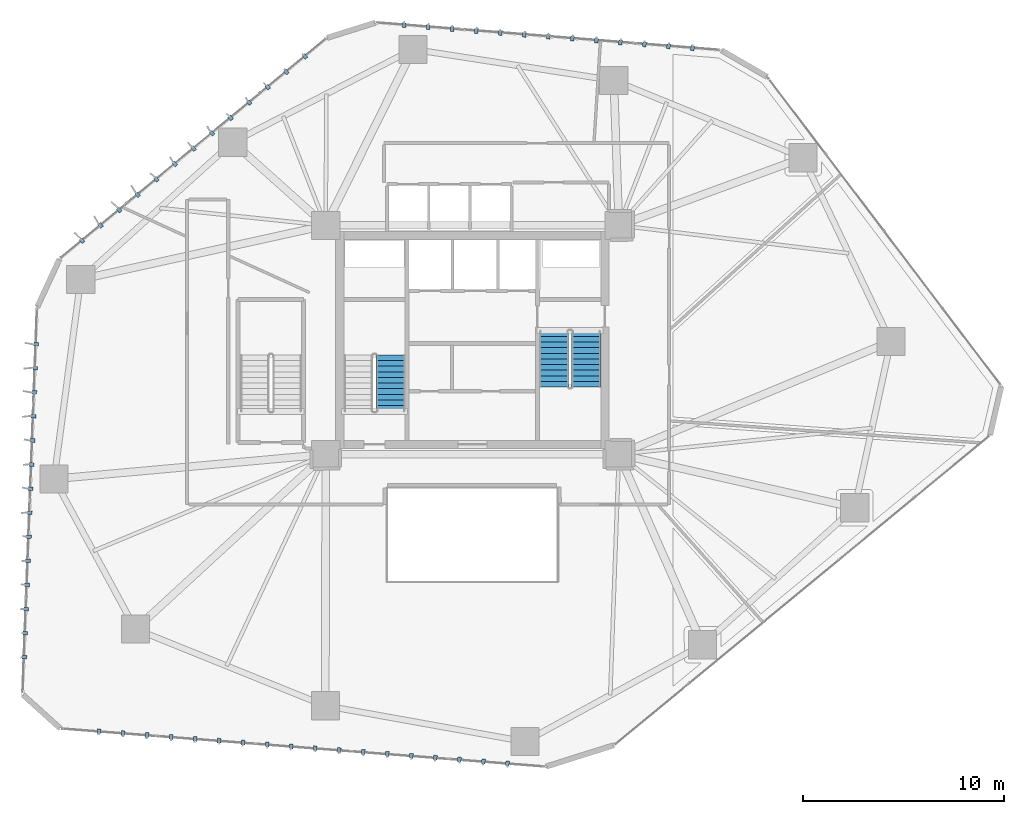
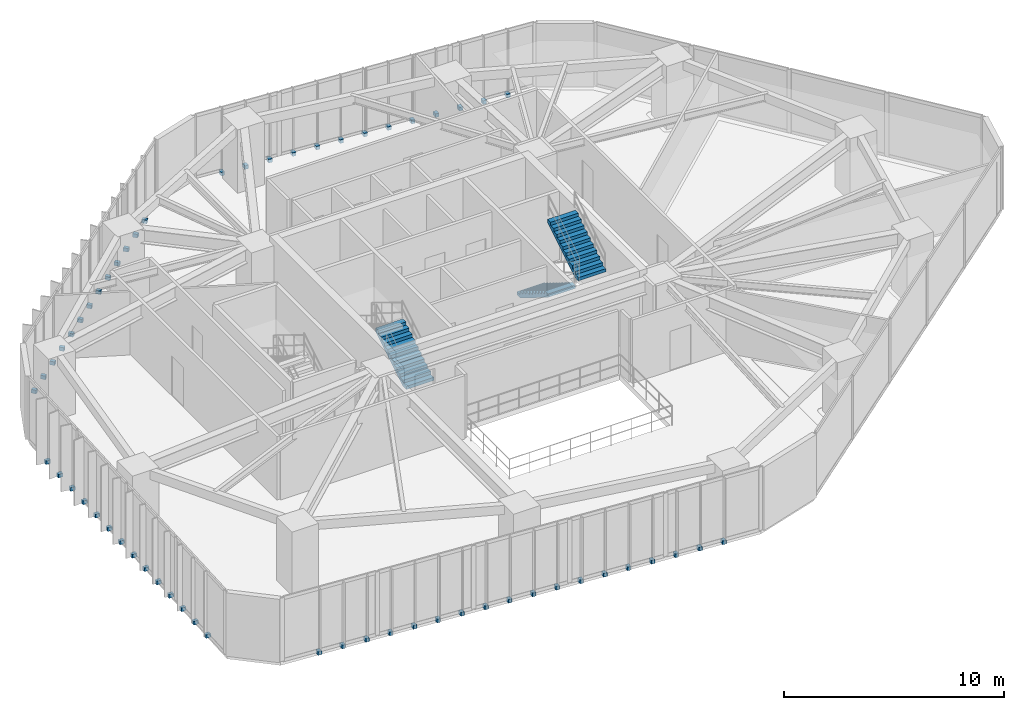
# One storey, part 20 of 23: 58 discrete accessories, 3 stair flights, 2 elements without a shape of their own.
"""IFC4 building model written with IfcOpenShell, lengths in metres."""

import ifcopenshell
import ifcopenshell.guid

model = None  # the IFC model being written
_history = None  # IfcOwnerHistory: only IFC2X3 demands one
_inside = {}  # id of a spatial element -> (the spatial element, [elements in it])
_under = {}  # id of a project, library or spatial element -> (it, [spatial elements below it])
_declared = {}  # id of a project -> (the project, [libraries it declares])
_typed = {}  # id of a type object -> (the type object, [elements of that type])
_made_of = {}  # id of a material, layer set ... -> (it, [elements and type objects made of it])


def new_model(schema):
    """Start an empty IFC model of exactly this schema.

    Asked for "IFC4X3", IfcOpenShell would pick the latest addendum, in which some entities
    have other attributes; the version numbers below select the first issue.
    IFC2X3 requires an IfcOwnerHistory on every rooted entity: one is made here for all.
    """
    global model, _history
    if schema == "IFC4X3":
        model = ifcopenshell.file(schema_version=(4, 3, 0, 0))
    else:
        model = ifcopenshell.file(schema=schema)
    _inside.clear()
    _under.clear()
    _declared.clear()
    _typed.clear()
    _made_of.clear()
    _history = None
    if model.schema == "IFC2X3":
        org = make("IfcOrganization", Name="unknown")
        user = make(
            "IfcPersonAndOrganization",
            ThePerson=make("IfcPerson", FamilyName="unknown"),
            TheOrganization=org,
        )
        app = make(
            "IfcApplication",
            ApplicationDeveloper=org,
            Version="unknown",
            ApplicationFullName="unknown",
            ApplicationIdentifier="unknown",
        )
        _history = make(
            "IfcOwnerHistory",
            OwningUser=user,
            OwningApplication=app,
            ChangeAction="ADDED",
            CreationDate=0,
        )
    return model


def make(cls, **values):
    """One entity of the class cls with the attributes given. An attribute that is None is left unset."""
    return model.create_entity(
        cls, **{name: value for name, value in values.items() if value is not None}
    )


def rooted(cls, **values):
    """An entity with a GlobalId (a new one), such as an element, a storey or a relation."""
    return make(cls, GlobalId=ifcopenshell.guid.new(), OwnerHistory=_history, **values)


def si_unit(unit_type, name, prefix=None):
    """IfcSIUnit, for example si_unit("LENGTHUNIT", "METRE", prefix="MILLI")."""
    return make("IfcSIUnit", UnitType=unit_type, Prefix=prefix, Name=name)


def assignment(units):
    """IfcUnitAssignment: the units of a project."""
    return None if units is None else make("IfcUnitAssignment", Units=units)


def point(xyz):
    """IfcCartesianPoint."""
    return None if xyz is None else make("IfcCartesianPoint", Coordinates=xyz)


def direction(xyz):
    """IfcDirection."""
    return None if xyz is None else make("IfcDirection", DirectionRatios=xyz)


def frame(location, z_axis=None, x_axis=None):
    """IfcAxis2Placement3D, a coordinate frame: its origin and axes. An axis left out is left unset."""
    return make(
        "IfcAxis2Placement3D",
        Location=point(location),
        Axis=direction(z_axis),
        RefDirection=direction(x_axis),
    )


def frame_2d(location, x_axis=None):
    """IfcAxis2Placement2D, a coordinate frame in the plane: its origin and x axis."""
    return make(
        "IfcAxis2Placement2D", Location=point(location), RefDirection=direction(x_axis)
    )


def origin():
    """The frame at (0, 0, 0) with its axes left unset."""
    return frame((0.0, 0.0, 0.0))


def origin_2d():
    """The frame at (0, 0) in the plane with its x axis left unset."""
    return frame_2d((0.0, 0.0))


def place(relative_to, where):
    """IfcLocalPlacement: puts the frame where relative to a parent placement (None: the world)."""
    return make(
        "IfcLocalPlacement", PlacementRelTo=relative_to, RelativePlacement=where
    )


def context(
    kind, dimensions, precision=None, world=None, true_north=None, identifier=None
):
    """IfcGeometricRepresentationContext, for example the 3D "Model" context."""
    return make(
        "IfcGeometricRepresentationContext",
        ContextIdentifier=identifier,
        ContextType=kind,
        CoordinateSpaceDimension=dimensions,
        Precision=precision,
        WorldCoordinateSystem=world,
        TrueNorth=true_north,
    )


def subcontext(parent, identifier, kind, view, scale=None):
    """IfcGeometricRepresentationSubContext, for example "Body" below "Model"."""
    return make(
        "IfcGeometricRepresentationSubContext",
        ContextIdentifier=identifier,
        ContextType=kind,
        ParentContext=parent,
        TargetScale=scale,
        TargetView=view,
    )


def project(units=None, contexts=None):
    """IfcProject with its units and contexts."""
    return rooted(
        "IfcProject",
        Name="project",
        RepresentationContexts=contexts,
        UnitsInContext=assignment(units),
    )


def spatial(cls, under=None, at=None, **own):
    """A site, building, storey or space (cls), placed at a placement, below another one or the project."""
    s = rooted(cls, ObjectPlacement=at, **own)
    if under is not None:
        _under.setdefault(under.id(), (under, []))[1].append(s)
    return s


def polyline(points):
    """IfcPolyline through the points."""
    return make("IfcPolyline", Points=[point(p) for p in points])


def profile(cls, at=None, kind="AREA", **sizes):
    """A parametric profile (cls). Its sizes go by their IFC names, for example OverallWidth=200.0."""
    return make(cls, ProfileType=kind, Position=at, **sizes)


def rectangle(**sizes):
    """IfcRectangleProfileDef."""
    return profile("IfcRectangleProfileDef", **sizes)


def outline(outer, holes=None, kind="AREA"):
    """IfcArbitraryClosedProfileDef: a profile drawn as a closed curve; with holes, ...WithVoids."""
    if holes is None:
        return make("IfcArbitraryClosedProfileDef", ProfileType=kind, OuterCurve=outer)
    return make(
        "IfcArbitraryProfileDefWithVoids",
        ProfileType=kind,
        OuterCurve=outer,
        InnerCurves=holes,
    )


def extrude(swept, where, along, depth):
    """IfcExtrudedAreaSolid: the profile swept, set in the frame where, extruded along a direction by depth."""
    return make(
        "IfcExtrudedAreaSolid",
        SweptArea=swept,
        Position=where,
        ExtrudedDirection=direction(along),
        Depth=depth,
    )


def shape(context_of_items, identifier, shape_type, items):
    """IfcShapeRepresentation: the items that make up one representation, for example the "Body"."""
    return make(
        "IfcShapeRepresentation",
        ContextOfItems=context_of_items,
        RepresentationIdentifier=identifier,
        RepresentationType=shape_type,
        Items=items,
    )


def source(mapping_origin, context_of_items, identifier, shape_type, items):
    """IfcRepresentationMap: a shape defined once, which mapped items show again and again."""
    return make(
        "IfcRepresentationMap",
        MappingOrigin=mapping_origin,
        MappedRepresentation=shape(context_of_items, identifier, shape_type, items),
    )


def transform(
    local_origin,
    x_axis=None,
    y_axis=None,
    z_axis=None,
    scale=None,
    scale2=None,
    scale3=None,
    uniform=True,
):
    """IfcCartesianTransformationOperator3D, or its non-uniform kind. x_axis, y_axis, z_axis: its Axis1, 2, 3."""
    if uniform:
        return make(
            "IfcCartesianTransformationOperator3D",
            Axis1=direction(x_axis),
            Axis2=direction(y_axis),
            LocalOrigin=point(local_origin),
            Scale=scale,
            Axis3=direction(z_axis),
        )
    return make(
        "IfcCartesianTransformationOperator3DnonUniform",
        Axis1=direction(x_axis),
        Axis2=direction(y_axis),
        LocalOrigin=point(local_origin),
        Scale=scale,
        Axis3=direction(z_axis),
        Scale2=scale2,
        Scale3=scale3,
    )


def mapped(mapping_source, mapping_target):
    """IfcMappedItem: shows the shape of a source again, moved by a transform."""
    return make(
        "IfcMappedItem", MappingSource=mapping_source, MappingTarget=mapping_target
    )


def material(Name=None, Category=None):
    """IfcMaterial."""
    return make("IfcMaterial", Name=Name, Category=Category)


def layer(
    of_material, thickness, ventilated=None, Name=None, Category=None, Priority=None
):
    """IfcMaterialLayer: one layer of a wall or slab, of a material (None: an air gap)."""
    return make(
        "IfcMaterialLayer",
        Material=of_material,
        LayerThickness=thickness,
        IsVentilated=ventilated,
        Name=Name,
        Category=Category,
        Priority=Priority,
    )


def layer_set(layers, Name=None):
    """IfcMaterialLayerSet."""
    return make("IfcMaterialLayerSet", MaterialLayers=layers, LayerSetName=Name)


def made_of(thing, what):
    """Note that an element or type object is made of a material, layer set ...; save() writes the relation."""
    if what is not None:
        _made_of.setdefault(what.id(), (what, []))[1].append(thing)
    return thing


def type_object(cls, material=None, **own):
    """A type object (cls), such as IfcWallType, which elements share."""
    return made_of(rooted(cls, **own), material)


def type_shapes(of_type, sources):
    """Give a type object the sources (RepresentationMaps) that its elements show as mapped items."""
    of_type.RepresentationMaps = sources


def element(
    cls,
    number,
    at=None,
    inside=None,
    cuts=None,
    type_object=None,
    material=None,
    context=None,
    identifier="Body",
    shape_type=None,
    held_by="IfcProductDefinitionShape",
    body=None,
    shapes=None,
    **own,
):
    """One element of the class cls, such as IfcWall. Its Tag is "e" and its number.

    at: its placement. inside: the storey or other place that contains it. cuts: it is an
    opening in that element (IfcRelVoidsElement). A single representation is given by context,
    identifier, shape_type and body (its items); several are given by shapes. held_by: the class
    of the entity that holds the representations. save() writes the other relations.
    """
    e = rooted(cls, Tag="e%d" % number, ObjectPlacement=at, **own)
    if body is not None:
        shapes = [shape(context, identifier, shape_type, body)]
    if shapes is not None:
        e.Representation = make(held_by, Representations=shapes)
    if inside is not None:
        _inside.setdefault(inside.id(), (inside, []))[1].append(e)
    if cuts is not None:
        rooted(
            "IfcRelVoidsElement", RelatingBuildingElement=cuts, RelatedOpeningElement=e
        )
    if type_object is not None:
        _typed.setdefault(type_object.id(), (type_object, []))[1].append(e)
    return made_of(e, material)


def aggregate(whole, parts):
    """IfcRelAggregates: a whole, such as a stair, and the parts it consists of."""
    return rooted("IfcRelAggregates", RelatingObject=whole, RelatedObjects=parts)


def save(model, path):
    """Write the relations noted so far, then the file.

    IfcRelAggregates (storeys below a building ...), IfcRelContainedInSpatialStructure (elements
    in a storey), IfcRelDefinesByType, IfcRelAssociatesMaterial and IfcRelDeclares: one each for
    every whole, place, type object, material and project.
    """
    for whole, parts in _under.values():
        aggregate(whole, parts)
    for where, things in _inside.values():
        rooted(
            "IfcRelContainedInSpatialStructure",
            RelatedElements=things,
            RelatingStructure=where,
        )
    for kind, things in _typed.values():
        rooted("IfcRelDefinesByType", RelatedObjects=things, RelatingType=kind)
    for what, things in _made_of.values():
        rooted("IfcRelAssociatesMaterial", RelatedObjects=things, RelatingMaterial=what)
    for by, libraries in _declared.values():
        rooted("IfcRelDeclares", RelatingContext=by, RelatedDefinitions=libraries)
    model.write(path)


model = new_model("IFC4")

# Units and contexts
model_context = context("Model", 3, precision=1e-05, world=origin(), true_north=direction((0.0, 1.0)))
body_context = subcontext(model_context, "Body", "Model", "MODEL_VIEW")
ifc_project = project(units=[si_unit("LENGTHUNIT", "METRE"), si_unit("AREAUNIT", "SQUARE_METRE"), si_unit("VOLUMEUNIT", "CUBIC_METRE"), si_unit("PLANEANGLEUNIT", "RADIAN"), si_unit("MASSUNIT", "GRAM", prefix="KILO")], contexts=[model_context])

# Site, building, storey
site_placement = place(None, origin())
site = spatial("IfcSite", under=ifc_project, at=site_placement, CompositionType="ELEMENT")
building_placement = place(site_placement, origin())
building = spatial("IfcBuilding", under=site, at=building_placement, Name="Talar Marvaseh", CompositionType="ELEMENT")
storey_placement = place(building_placement, frame((0.0, 0.0, 77.199951171875)))
storey = spatial("IfcBuildingStorey", under=building, at=storey_placement, Name="L19", CompositionType="ELEMENT", Elevation=77.199951171875)

# Stair, stair flight
ifc_material_1 = material(Name="Concrete C40/50", Category="concrete")
stair_type = type_object("IfcStairType", Name="Reinforced Concrete Half-Turn Exit Stair Type B", PredefinedType="HALF_TURN_STAIR", material=ifc_material_1)
stair_1_placement = place(storey_placement, origin())
stair_1 = element("IfcStair", 1, at=stair_1_placement, inside=storey, type_object=stair_type, Name="L19 Tower West Core Exit Stair", PredefinedType="HALF_TURN_STAIR")
ifc_layer = layer(ifc_material_1, 0.159912109375)
ifc_layer_set = layer_set([ifc_layer], Name="Concrete C40/50")
stair_flight_type = type_object("IfcStairFlightType", Name="Reinforced Concrete Straight Stair Flight 160", PredefinedType="STRAIGHT", material=ifc_layer_set)
stair_flight_1_placement = place(storey_placement, frame((21.93505859375, 27.64990234375, 0.0), z_axis=(0.0, 0.0, 1.0), x_axis=(0.0, 1.0, 0.0)))
stair_flight_1 = element("IfcStairFlight", 2, at=stair_flight_1_placement, type_object=stair_flight_type, Name="ST-1 flight 1", NumberOfRisers=11, NumberOfTreads=10, PredefinedType="STRAIGHT", RiserHeight=0.172727273, TreadLength=0.28, context=body_context, shape_type="SweptSolid", body=[
    extrude(outline(polyline([(0.0, 0.0), (0.0, 0.172607421875), (0.280029296875, 0.172607421875), (0.280029296875, 0.345458984375), (0.56005859375, 0.345458984375), (0.56005859375, 0.51806640625), (0.840087890625, 0.51806640625), (0.840087890625, 0.69091796875), (1.1201171875, 0.69091796875), (1.1201171875, 0.863525390625), (1.39990234375, 0.863525390625), (1.39990234375, 1.036376953125), (1.679931640625, 1.036376953125), (1.679931640625, 1.208984375), (1.9599609375, 1.208984375), (1.9599609375, 1.3818359375), (2.239990234375, 1.3818359375), (2.239990234375, 1.554443359375), (2.52001953125, 1.554443359375), (2.52001953125, 1.727294921875), (2.800048828125, 1.727294921875), (2.800048828125, 1.89990234375), (2.800048828125, 1.539306640625), (0.3046875, 0.0), (0.0, 0.0)])), frame((0.0, 0.72509765625, 0.0), z_axis=(0.0, -1.0, 0.0), x_axis=(1.0, 0.0, 0.0)), (0.0, 0.0, 1.0), 1.449951171875),
])
aggregate(stair_1, [stair_flight_1])

# Stair, stair flights
stair_2_placement = place(storey_placement, origin())
stair_2 = element("IfcStair", 3, at=stair_2_placement, inside=storey, type_object=stair_type, Name="L19 Tower East Core Exit Stair", PredefinedType="HALF_TURN_STAIR")
stair_flight_2_placement = place(storey_placement, frame((30.06494140625, 31.64990234375, 0.0), z_axis=(0.0, 0.0, 1.0), x_axis=(0.0, -1.0, 0.0)))
stair_flight_2 = element("IfcStairFlight", 4, at=stair_flight_2_placement, type_object=stair_flight_type, Name="ST-2 flight 1", NumberOfRisers=11, NumberOfTreads=10, PredefinedType="STRAIGHT", RiserHeight=0.172727273, TreadLength=0.28, context=body_context, shape_type="SweptSolid", body=[
    extrude(outline(polyline([(0.0, 0.0), (0.0, 0.172607421875), (0.280029296875, 0.172607421875), (0.280029296875, 0.345458984375), (0.56005859375, 0.345458984375), (0.56005859375, 0.51806640625), (0.840087890625, 0.51806640625), (0.840087890625, 0.69091796875), (1.1201171875, 0.69091796875), (1.1201171875, 0.863525390625), (1.39990234375, 0.863525390625), (1.39990234375, 1.036376953125), (1.679931640625, 1.036376953125), (1.679931640625, 1.208984375), (1.9599609375, 1.208984375), (1.9599609375, 1.3818359375), (2.239990234375, 1.3818359375), (2.239990234375, 1.554443359375), (2.52001953125, 1.554443359375), (2.52001953125, 1.727294921875), (2.800048828125, 1.727294921875), (2.800048828125, 1.89990234375), (2.800048828125, 1.539306640625), (0.3046875, 0.0), (0.0, 0.0)])), frame((0.0, 0.72509765625, 0.0), z_axis=(0.0, -1.0, 0.0), x_axis=(1.0, 0.0, 0.0)), (0.0, 0.0, 1.0), 1.449951171875),
])
stair_flight_3_placement = place(storey_placement, frame((31.675048828125, 28.85009765625, 1.900146484375), z_axis=(0.0, 0.0, 1.0), x_axis=(0.0, 1.0, 0.0)))
stair_flight_3 = element("IfcStairFlight", 5, at=stair_flight_3_placement, type_object=stair_flight_type, Name="ST-2 flight 2", NumberOfRisers=11, NumberOfTreads=10, PredefinedType="STRAIGHT", RiserHeight=0.172727273, TreadLength=0.28, context=body_context, shape_type="SweptSolid", body=[
    extrude(outline(polyline([(0.0, 0.0), (0.0, 0.172607421875), (0.280029296875, 0.172607421875), (0.280029296875, 0.345458984375), (0.56005859375, 0.345458984375), (0.56005859375, 0.51806640625), (0.840087890625, 0.51806640625), (0.840087890625, 0.69091796875), (1.1201171875, 0.69091796875), (1.1201171875, 0.863525390625), (1.39990234375, 0.863525390625), (1.39990234375, 1.036376953125), (1.679931640625, 1.036376953125), (1.679931640625, 1.208984375), (1.9599609375, 1.208984375), (1.9599609375, 1.3818359375), (2.239990234375, 1.3818359375), (2.239990234375, 1.554443359375), (2.52001953125, 1.554443359375), (2.52001953125, 1.727294921875), (2.800048828125, 1.727294921875), (2.800048828125, 1.89990234375), (2.800048828125, 1.539306640625), (0.3046875, 0.0), (0.0, 0.0)])), frame((0.0, 0.72509765625, 0.0), z_axis=(0.0, -1.0, 0.0), x_axis=(1.0, 0.0, 0.0)), (0.0, 0.0, 1.0), 1.449951171875),
])
aggregate(stair_2, [stair_flight_2, stair_flight_3])

# Discrete accessories
ifc_material_2 = material(Name="Stainless Steel Grade 316", Category="steel")
discrete_accessory_type = type_object("IfcDiscreteAccessoryType", Name="Stainless Slab-Edge Fin Mounting Bracket", PredefinedType="BRACKET", material=ifc_material_2)
shared_shape = source(origin(), body_context, "Body", "SweptSolid", [
    extrude(rectangle(XDim=0.239990234375, YDim=0.179931640625, at=origin_2d()), origin(), (0.0, 0.0, 1.0), 0.199951171875),
])
type_shapes(discrete_accessory_type, [shared_shape])
for number, where, z_axis, x_axis, name in (
    (6, (3.69482421875, 15.400634765625, -0.1796875), (0.0, 0.0, 1.0), (-0.999296035598, 0.037515773182, 0.0), "L19 Vertical Fin Slab-Edge Bracket"),
    (7, (3.739990234375, 16.599853515625, -0.1796875), (0.0, 0.0, 1.0), (-0.999296035598, 0.037515773182, 0.0), "L19 Vertical Fin Slab-Edge Bracket"),
    (8, (3.78515625, 17.798828125, -0.1796875), (0.0, 0.0, 1.0), (-0.999296035598, 0.037515773182, 0.0), "L19 Vertical Fin Slab-Edge Bracket"),
    (9, (3.830078125, 18.998046875, -0.1796875), (0.0, 0.0, 1.0), (-0.999296035598, 0.037515773182, 0.0), "L19 Vertical Fin Slab-Edge Bracket"),
    (10, (3.875244140625, 20.197265625, -0.1796875), (0.0, 0.0, 1.0), (-0.999296035598, 0.037515773182, 0.0), "L19 Vertical Fin Slab-Edge Bracket"),
    (11, (3.92041015625, 21.396484375, -0.1796875), (0.0, 0.0, 1.0), (-0.999296035598, 0.037515773182, 0.0), "L19 Vertical Fin Slab-Edge Bracket"),
    (12, (3.965576171875, 22.595458984375, -0.1796875), (0.0, 0.0, 1.0), (-0.999296035598, 0.037515773182, 0.0), "L19 Vertical Fin Slab-Edge Bracket"),
    (13, (4.010498046875, 23.794677734375, -0.1796875), (0.0, 0.0, 1.0), (-0.999296035598, 0.037515773182, 0.0), "L19 Vertical Fin Slab-Edge Bracket"),
    (14, (4.0556640625, 24.993896484375, -0.1796875), (0.0, 0.0, 1.0), (-0.999296035598, 0.037515773182, 0.0), "L19 Vertical Fin Slab-Edge Bracket"),
    (15, (4.100830078125, 26.193115234375, -0.1796875), (0.0, 0.0, 1.0), (-0.999296035598, 0.037515773182, 0.0), "L19 Vertical Fin Slab-Edge Bracket"),
    (16, (4.14599609375, 27.39208984375, -0.1796875), (0.0, 0.0, 1.0), (-0.999296035598, 0.037515773182, 0.0), "L19 Vertical Fin Slab-Edge Bracket"),
    (17, (4.19091796875, 28.59130859375, -0.1796875), (0.0, 0.0, 1.0), (-0.999296035598, 0.037515773182, 0.0), "L19 Vertical Fin Slab-Edge Bracket"),
    (18, (4.236083984375, 29.790283203125, -0.1796875), (0.0, 0.0, 1.0), (-0.999296035598, 0.037515773182, 0.0), "L19 Vertical Fin Slab-Edge Bracket"),
    (19, (4.28125, 30.989501953125, -0.1796875), (0.0, 0.0, 1.0), (-0.999296035598, 0.037515773182, 0.0), "L19 Vertical Fin Slab-Edge Bracket"),
    (20, (6.565673828125, 36.1376953125, -0.1796875), (0.0, 0.0, 1.0), (-0.6370204626, 0.770846891561, 0.0), "L19 Vertical Fin Slab-Edge Bracket"),
    (21, (7.490478515625, 36.902099609375, -0.1796875), (0.0, 0.0, 1.0), (-0.6370204626, 0.770846891561, 0.0), "L19 Vertical Fin Slab-Edge Bracket"),
    (22, (8.415771484375, 37.66650390625, -0.1796875), (0.0, 0.0, 1.0), (-0.6370204626, 0.770846891561, 0.0), "L19 Vertical Fin Slab-Edge Bracket"),
    (23, (9.3408203125, 38.430908203125, -0.1796875), (0.0, 0.0, 1.0), (-0.6370204626, 0.770846891561, 0.0), "L19 Vertical Fin Slab-Edge Bracket"),
    (24, (10.265625, 39.1953125, -0.1796875), (0.0, 0.0, 1.0), (-0.6370204626, 0.770846891561, 0.0), "L19 Vertical Fin Slab-Edge Bracket"),
    (25, (11.19091796875, 39.959716796875, -0.1796875), (0.0, 0.0, 1.0), (-0.6370204626, 0.770846891561, 0.0), "L19 Vertical Fin Slab-Edge Bracket"),
    (26, (12.11572265625, 40.72412109375, -0.1796875), (0.0, 0.0, 1.0), (-0.6370204626, 0.770846891561, 0.0), "L19 Vertical Fin Slab-Edge Bracket"),
    (27, (13.041015625, 41.48828125, -0.1796875), (0.0, 0.0, 1.0), (-0.6370204626, 0.770846891561, 0.0), "L19 Vertical Fin Slab-Edge Bracket"),
    (28, (13.9658203125, 42.252685546875, -0.1796875), (0.0, 0.0, 1.0), (-0.6370204626, 0.770846891561, 0.0), "L19 Vertical Fin Slab-Edge Bracket"),
    (29, (14.890869140625, 43.01708984375, -0.1796875), (0.0, 0.0, 1.0), (-0.6370204626, 0.770846891561, 0.0), "L19 Vertical Fin Slab-Edge Bracket"),
    (30, (15.81591796875, 43.781494140625, -0.1796875), (0.0, 0.0, 1.0), (-0.6370204626, 0.770846891561, 0.0), "L19 Vertical Fin Slab-Edge Bracket"),
    (31, (16.740966796875, 44.5458984375, -0.1796875), (0.0, 0.0, 1.0), (-0.6370204626, 0.770846891561, 0.0), "L19 Vertical Fin Slab-Edge Bracket"),
    (32, (17.666015625, 45.310302734375, -0.1796875), (0.0, 0.0, 1.0), (-0.6370204626, 0.770846891561, 0.0), "L19 Vertical Fin Slab-Edge Bracket"),
    (33, (22.611083984375, 46.86962890625, -0.1796875), (0.0, 0.0, 1.0), (0.079677001159, 0.996820733877, 0.0), "L19 Vertical Fin Slab-Edge Bracket"),
    (34, (23.807373046875, 46.77392578125, -0.1796875), (0.0, 0.0, 1.0), (0.079677001159, 0.996820733877, 0.0), "L19 Vertical Fin Slab-Edge Bracket"),
    (35, (25.00341796875, 46.678466796875, -0.1796875), (0.0, 0.0, 1.0), (0.079677001159, 0.996820733877, 0.0), "L19 Vertical Fin Slab-Edge Bracket"),
    (36, (26.19970703125, 46.5830078125, -0.1796875), (0.0, 0.0, 1.0), (0.079677001159, 0.996820733877, 0.0), "L19 Vertical Fin Slab-Edge Bracket"),
    (37, (27.39599609375, 46.4873046875, -0.1796875), (0.0, 0.0, 1.0), (0.079677001159, 0.996820733877, 0.0), "L19 Vertical Fin Slab-Edge Bracket"),
    (38, (28.592041015625, 46.3916015625, -0.1796875), (0.0, 0.0, 1.0), (0.079677001159, 0.996820733877, 0.0), "L19 Vertical Fin Slab-Edge Bracket"),
    (39, (29.788330078125, 46.296142578125, -0.1796875), (0.0, 0.0, 1.0), (0.079677001159, 0.996820733877, 0.0), "L19 Vertical Fin Slab-Edge Bracket"),
    (40, (30.984619140625, 46.20068359375, -0.1796875), (0.0, 0.0, 1.0), (0.079677001159, 0.996820733877, 0.0), "L19 Vertical Fin Slab-Edge Bracket"),
    (41, (32.1806640625, 46.10498046875, -0.1796875), (0.0, 0.0, 1.0), (0.079677001159, 0.996820733877, 0.0), "L19 Vertical Fin Slab-Edge Bracket"),
    (42, (33.376953125, 46.009521484375, -0.1796875), (0.0, 0.0, 1.0), (0.079677001159, 0.996820733877, 0.0), "L19 Vertical Fin Slab-Edge Bracket"),
    (43, (34.572998046875, 45.913818359375, -0.1796875), (0.0, 0.0, 1.0), (0.079677001159, 0.996820733877, 0.0), "L19 Vertical Fin Slab-Edge Bracket"),
    (44, (35.769287109375, 45.818359375, -0.1796875), (0.0, 0.0, 1.0), (0.079677001159, 0.996820733877, 0.0), "L19 Vertical Fin Slab-Edge Bracket"),
    (45, (36.96533203125, 45.722900390625, -0.1796875), (0.0, 0.0, 1.0), (0.079677001159, 0.996820733877, 0.0), "L19 Vertical Fin Slab-Edge Bracket"),
    (46, (27.751708984375, 10.115478515625, -0.1796875), (0.0, 0.0, 1.0), (-0.078285099635, -0.996931012245, 0.0), "L19 Vertical Fin Slab-Edge Bracket"),
    (47, (26.555419921875, 10.20947265625, -0.1796875), (0.0, 0.0, 1.0), (-0.078285099635, -0.996931012245, 0.0), "L19 Vertical Fin Slab-Edge Bracket"),
    (48, (25.35888671875, 10.303466796875, -0.1796875), (0.0, 0.0, 1.0), (-0.078285099635, -0.996931012245, 0.0), "L19 Vertical Fin Slab-Edge Bracket"),
    (49, (24.16259765625, 10.3974609375, -0.1796875), (0.0, 0.0, 1.0), (-0.078285099635, -0.996931012245, 0.0), "L19 Vertical Fin Slab-Edge Bracket"),
    (50, (22.96630859375, 10.4912109375, -0.1796875), (0.0, 0.0, 1.0), (-0.078285099635, -0.996931012245, 0.0), "L19 Vertical Fin Slab-Edge Bracket"),
    (51, (21.77001953125, 10.585205078125, -0.1796875), (0.0, 0.0, 1.0), (-0.078285099635, -0.996931012245, 0.0), "L19 Vertical Fin Slab-Edge Bracket"),
    (52, (20.57373046875, 10.67919921875, -0.1796875), (0.0, 0.0, 1.0), (-0.078285099635, -0.996931012245, 0.0), "L19 Vertical Fin Slab-Edge Bracket"),
    (53, (19.37744140625, 10.773193359375, -0.1796875), (0.0, 0.0, 1.0), (-0.078285099635, -0.996931012245, 0.0), "L19 Vertical Fin Slab-Edge Bracket"),
    (54, (18.18115234375, 10.8671875, -0.1796875), (0.0, 0.0, 1.0), (-0.078285099635, -0.996931012245, 0.0), "L19 Vertical Fin Slab-Edge Bracket"),
    (55, (16.98486328125, 10.961181640625, -0.1796875), (0.0, 0.0, 1.0), (-0.078285099635, -0.996931012245, 0.0), "L19 Vertical Fin Slab-Edge Bracket"),
    (56, (15.788330078125, 11.05517578125, -0.1796875), (0.0, 0.0, 1.0), (-0.078285099635, -0.996931012245, 0.0), "L19 Vertical Fin Slab-Edge Bracket"),
    (57, (14.592041015625, 11.149169921875, -0.1796875), (0.0, 0.0, 1.0), (-0.078285099635, -0.996931012245, 0.0), "L19 Vertical Fin Slab-Edge Bracket"),
    (58, (13.395751953125, 11.2431640625, -0.1796875), (0.0, 0.0, 1.0), (-0.078285099635, -0.996931012245, 0.0), "L19 Vertical Fin Slab-Edge Bracket"),
    (59, (12.199462890625, 11.3369140625, -0.1796875), (0.0, 0.0, 1.0), (-0.078285099635, -0.996931012245, 0.0), "L19 Vertical Fin Slab-Edge Bracket"),
    (60, (11.003173828125, 11.430908203125, -0.1796875), (0.0, 0.0, 1.0), (-0.078285099635, -0.996931012245, 0.0), "L19 Vertical Fin Slab-Edge Bracket"),
    (61, (9.806884765625, 11.52490234375, -0.1796875), (0.0, 0.0, 1.0), (-0.078285099635, -0.996931012245, 0.0), "L19 Vertical Fin Slab-Edge Bracket"),
    (62, (8.610595703125, 11.618896484375, -0.1796875), (0.0, 0.0, 1.0), (-0.078285099635, -0.996931012245, 0.0), "L19 Vertical Fin Slab-Edge Bracket"),
    (63, (7.414306640625, 11.712890625, -0.1796875), (0.0, 0.0, 1.0), (-0.078285099635, -0.996931012245, 0.0), "L19 Vertical Fin Slab-Edge Bracket"),
):
    element("IfcDiscreteAccessory", number, at=place(storey_placement, frame(where, z_axis=z_axis, x_axis=x_axis)), inside=storey, type_object=discrete_accessory_type, Name=name, PredefinedType="BRACKET", context=body_context, shape_type="MappedRepresentation", body=[
        mapped(shared_shape, transform((0.0, 0.0, 0.0), x_axis=(1.0, 0.0, 0.0), y_axis=(0.0, 1.0, 0.0), z_axis=(0.0, 0.0, 1.0), scale=1.0)),
    ])

save(model, "model.ifc")
